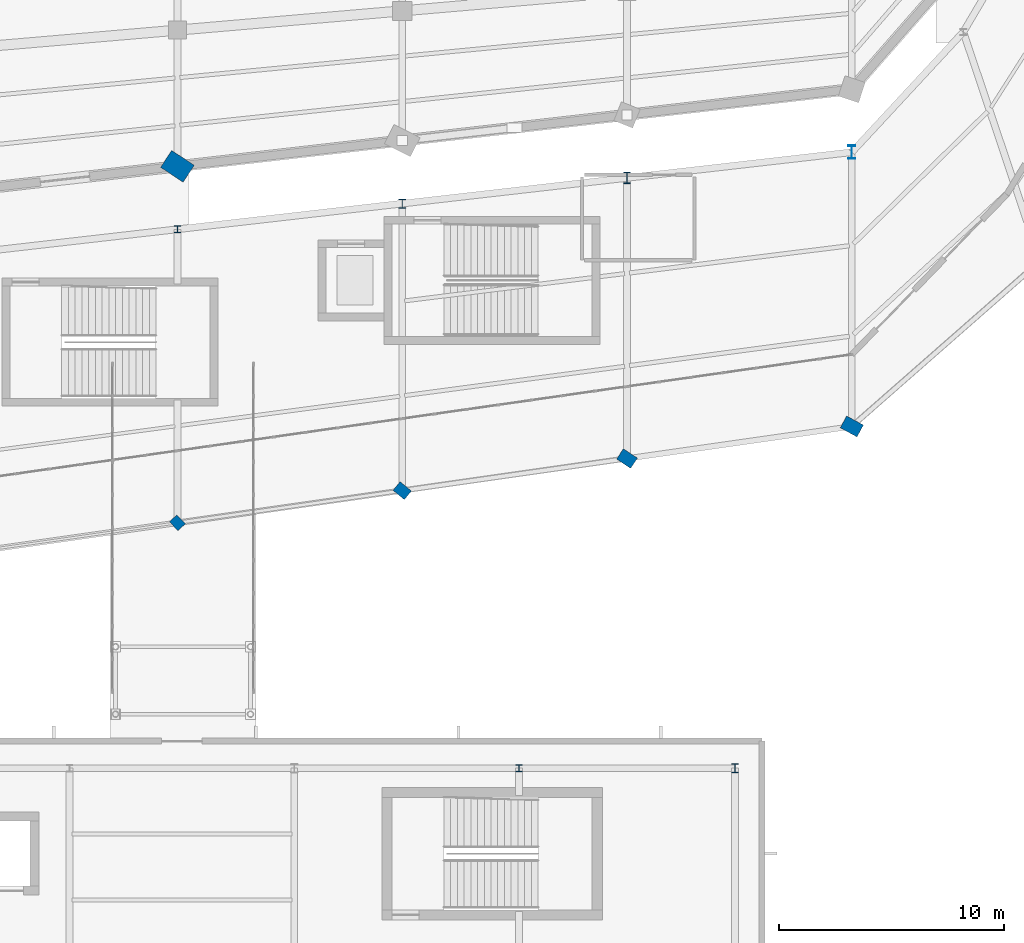
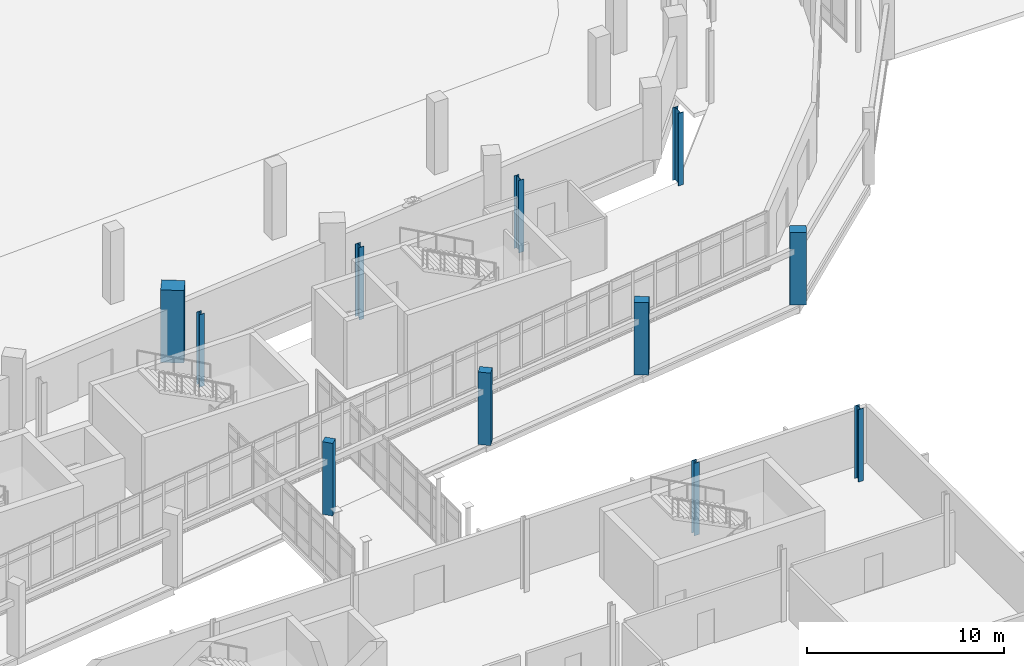
# One storey, part 19 of 122: 11 columns.
"""IFC4 building model written with IfcOpenShell, lengths in metres."""

from ifc_helpers import new_model, si_unit, direction, frame, origin, origin_2d, place, context, subcontext, project, spatial, rectangle, i_section, extrude, material, material_profile, profile_set, type_object, element, save


model = new_model("IFC4")

# Units and contexts
model_context = context("Model", 3, precision=1e-05, world=origin(), true_north=direction((0.0, 1.0)))
body_context = subcontext(model_context, "Body", "Model", "MODEL_VIEW")
ifc_project = project(units=[si_unit("LENGTHUNIT", "METRE"), si_unit("AREAUNIT", "SQUARE_METRE"), si_unit("VOLUMEUNIT", "CUBIC_METRE"), si_unit("PLANEANGLEUNIT", "RADIAN"), si_unit("MASSUNIT", "GRAM", prefix="KILO")], contexts=[model_context])

# Site, building, storey
site_placement = place(None, origin())
site = spatial("IfcSite", under=ifc_project, at=site_placement, CompositionType="ELEMENT")
building_placement = place(site_placement, origin())
building = spatial("IfcBuilding", under=site, at=building_placement, Name="Sohan Crest Arena", CompositionType="ELEMENT")
storey_placement = place(building_placement, origin())
storey = spatial("IfcBuildingStorey", under=building, at=storey_placement, Name="L00", CompositionType="ELEMENT", Elevation=0.0)

# Columns
ifc_material_1 = material(Name="Concrete C40/50", Category="concrete")
ifc_material_profile_1 = material_profile(ifc_material_1, rectangle(XDim=1.199951171875, YDim=0.89990234375, at=origin_2d()), Name="RC 1200x900")
ifc_profile_set_1 = profile_set([ifc_material_profile_1], Name="Concrete C40/50")
column_type_1 = type_object("IfcColumnType", Name="STR-COL-C11", PredefinedType="COLUMN", material=ifc_profile_set_1)
column_1_placement = place(storey_placement, frame((138.0, 51.571044921875, 0.0), z_axis=(0.0, 0.0, 1.0), x_axis=(-0.833885822067, 0.551936985312, 0.0)))
element("IfcColumn", 1, at=column_1_placement, inside=storey, type_object=column_type_1, Name="Structural column COL-V1R-17-L00", PredefinedType="COLUMN", context=body_context, shape_type="SweptSolid", body=[
    extrude(rectangle(XDim=1.199951171875, YDim=0.89990234375, at=origin_2d()), origin(), (0.0, 0.0, 1.0), 4.5),
])
ifc_material_2 = material(Name="Steel S355", Category="steel")
ifc_material_profile_2 = material_profile(ifc_material_2, i_section(OverallWidth=0.300048828125, OverallDepth=0.300048828125, WebThickness=0.010986328125, FlangeThickness=0.01904296875, at=origin_2d()), Name="HEB 300")
ifc_profile_set_2 = profile_set([ifc_material_profile_2], Name="Steel S355")
column_type_2 = type_object("IfcColumnType", Name="STR-COL-C17", PredefinedType="COLUMN", material=ifc_profile_set_2)
for number, where, z_axis, x_axis, name in (
    (2, (138.0, 48.77099609375, 0.0), (0.0, 0.0, 1.0), (1.0, 0.0, 0.0), "Structural column COL-V2I-17-L00"),
    (3, (153.199951171875, 24.800048828125, 0.0), (0.0, 0.0, 1.0), (1.0, 0.0, 0.0), "Structural column COL-V5C-09-3-L00"),
):
    element("IfcColumn", number, at=place(storey_placement, frame(where, z_axis=z_axis, x_axis=x_axis)), inside=storey, type_object=column_type_2, Name=name, PredefinedType="COLUMN", context=body_context, shape_type="SweptSolid", body=[
        extrude(i_section(OverallWidth=0.300048828125, OverallDepth=0.300048828125, WebThickness=0.010986328125, FlangeThickness=0.01904296875, at=origin_2d()), origin(), (0.0, 0.0, 1.0), 4.5),
    ])
ifc_material_profile_3 = material_profile(ifc_material_2, i_section(OverallWidth=0.300048828125, OverallDepth=0.39990234375, WebThickness=0.013427734375, FlangeThickness=0.02392578125, at=origin_2d()), Name="HEB 400")
ifc_profile_set_3 = profile_set([ifc_material_profile_3], Name="Steel S355")
column_type_3 = type_object("IfcColumnType", Name="STR-COL-C18", PredefinedType="COLUMN", material=ifc_profile_set_3)
for number, where, z_axis, x_axis, name in (
    (4, (148.0, 49.9140625, 0.0), (0.0, 0.0, 1.0), (1.0, 0.0, 0.0), "Structural column COL-V2I-18-L00"),
    (5, (162.800048828125, 24.800048828125, 0.0), (0.0, 0.0, 1.0), (1.0, 0.0, 0.0), "Structural column COL-V5C-10-3-L00"),
):
    element("IfcColumn", number, at=place(storey_placement, frame(where, z_axis=z_axis, x_axis=x_axis)), inside=storey, type_object=column_type_3, Name=name, PredefinedType="COLUMN", context=body_context, shape_type="SweptSolid", body=[
        extrude(i_section(OverallWidth=0.300048828125, OverallDepth=0.39990234375, WebThickness=0.013427734375, FlangeThickness=0.02392578125, at=origin_2d()), origin(), (0.0, 0.0, 1.0), 4.5),
    ])
ifc_material_profile_4 = material_profile(ifc_material_2, i_section(OverallWidth=0.300048828125, OverallDepth=0.5, WebThickness=0.014404296875, FlangeThickness=0.028076171875, at=origin_2d()), Name="HEB 500")
ifc_profile_set_4 = profile_set([ifc_material_profile_4], Name="Steel S355")
column_type_4 = type_object("IfcColumnType", Name="STR-COL-C19", PredefinedType="COLUMN", material=ifc_profile_set_4)
column_2_placement = place(storey_placement, frame((158.0, 51.056884765625, 0.0), z_axis=(0.0, 0.0, 1.0), x_axis=(1.0, 0.0, 0.0)))
element("IfcColumn", 6, at=column_2_placement, inside=storey, type_object=column_type_4, Name="Structural column COL-V2I-19-L00", PredefinedType="COLUMN", context=body_context, shape_type="SweptSolid", body=[
    extrude(i_section(OverallWidth=0.300048828125, OverallDepth=0.5, WebThickness=0.014404296875, FlangeThickness=0.028076171875, at=origin_2d()), origin(), (0.0, 0.0, 1.0), 4.5),
])
ifc_material_profile_5 = material_profile(ifc_material_2, i_section(OverallWidth=0.300048828125, OverallDepth=0.60009765625, WebThickness=0.015380859375, FlangeThickness=0.030029296875, at=origin_2d()), Name="HEB 600")
ifc_profile_set_5 = profile_set([ifc_material_profile_5], Name="Steel S355")
column_type_5 = type_object("IfcColumnType", Name="STR-COL-C20", PredefinedType="COLUMN", material=ifc_profile_set_5)
column_3_placement = place(storey_placement, frame((168.0, 52.199951171875, 0.0), z_axis=(0.0, 0.0, 1.0), x_axis=(1.0, 0.0, 0.0)))
element("IfcColumn", 7, at=column_3_placement, inside=storey, type_object=column_type_5, Name="Structural column COL-V2I-20-L00", PredefinedType="COLUMN", context=body_context, shape_type="SweptSolid", body=[
    extrude(i_section(OverallWidth=0.300048828125, OverallDepth=0.60009765625, WebThickness=0.015380859375, FlangeThickness=0.030029296875, at=origin_2d()), origin(), (0.0, 0.0, 1.0), 4.5),
])
ifc_material_profile_6 = material_profile(ifc_material_1, rectangle(XDim=0.550048828125, YDim=0.449951171875, at=origin_2d()), Name="RC 550x450")
ifc_profile_set_6 = profile_set([ifc_material_profile_6], Name="Concrete C40/50")
column_type_6 = type_object("IfcColumnType", Name="STR-COL-PC01", PredefinedType="PILASTER", material=ifc_profile_set_6)
column_4_placement = place(storey_placement, frame((138.0, 35.714111328125, 0.0), z_axis=(0.0, 0.0, 1.0), x_axis=(-0.687087510804, 0.726574670971, 0.0)))
element("IfcColumn", 8, at=column_4_placement, inside=storey, type_object=column_type_6, Name="Structural column COL-V2O-17-L00", PredefinedType="PILASTER", context=body_context, shape_type="SweptSolid", body=[
    extrude(rectangle(XDim=0.550048828125, YDim=0.449951171875, at=origin_2d()), origin(), (0.0, 0.0, 1.0), 4.5),
])
ifc_material_profile_7 = material_profile(ifc_material_1, rectangle(XDim=0.64990234375, YDim=0.5, at=origin_2d()), Name="RC 650x500")
ifc_profile_set_7 = profile_set([ifc_material_profile_7], Name="Concrete C40/50")
column_type_7 = type_object("IfcColumnType", Name="STR-COL-PC02", PredefinedType="PILASTER", material=ifc_profile_set_7)
column_5_placement = place(storey_placement, frame((148.0, 37.14306640625, 0.0), z_axis=(0.0, 0.0, 1.0), x_axis=(-0.773840209727, 0.633380872628, 0.0)))
element("IfcColumn", 9, at=column_5_placement, inside=storey, type_object=column_type_7, Name="Structural column COL-V2O-18-L00", PredefinedType="PILASTER", context=body_context, shape_type="SweptSolid", body=[
    extrude(rectangle(XDim=0.64990234375, YDim=0.5, at=origin_2d()), origin(), (0.0, 0.0, 1.0), 4.5),
])
ifc_material_profile_8 = material_profile(ifc_material_1, rectangle(XDim=0.75, YDim=0.550048828125, at=origin_2d()), Name="RC 750x550")
ifc_profile_set_8 = profile_set([ifc_material_profile_8], Name="Concrete C40/50")
column_type_8 = type_object("IfcColumnType", Name="STR-COL-PC03", PredefinedType="PILASTER", material=ifc_profile_set_8)
column_6_placement = place(storey_placement, frame((158.0, 38.571044921875, 0.0), z_axis=(0.0, 0.0, 1.0), x_axis=(-0.835807361368, 0.549022817998, 0.0)))
element("IfcColumn", 10, at=column_6_placement, inside=storey, type_object=column_type_8, Name="Structural column COL-V2O-19-L00", PredefinedType="PILASTER", context=body_context, shape_type="SweptSolid", body=[
    extrude(rectangle(XDim=0.75, YDim=0.550048828125, at=origin_2d()), origin(), (0.0, 0.0, 1.0), 4.5),
])
ifc_material_profile_9 = material_profile(ifc_material_1, rectangle(XDim=0.85009765625, YDim=0.60009765625, at=origin_2d()), Name="RC 850x600")
ifc_profile_set_9 = profile_set([ifc_material_profile_9], Name="Concrete C40/50")
column_type_9 = type_object("IfcColumnType", Name="STR-COL-PC04", PredefinedType="PILASTER", material=ifc_profile_set_9)
column_7_placement = place(storey_placement, frame((168.0, 40.0, 0.0), z_axis=(0.0, 0.0, 1.0), x_axis=(-0.878817112662, 0.47715876026, 0.0)))
element("IfcColumn", 11, at=column_7_placement, inside=storey, type_object=column_type_9, Name="Structural column COL-V2O-20-L00", PredefinedType="PILASTER", context=body_context, shape_type="SweptSolid", body=[
    extrude(rectangle(XDim=0.85009765625, YDim=0.60009765625, at=origin_2d()), origin(), (0.0, 0.0, 1.0), 4.5),
])

save(model, "model.ifc")
